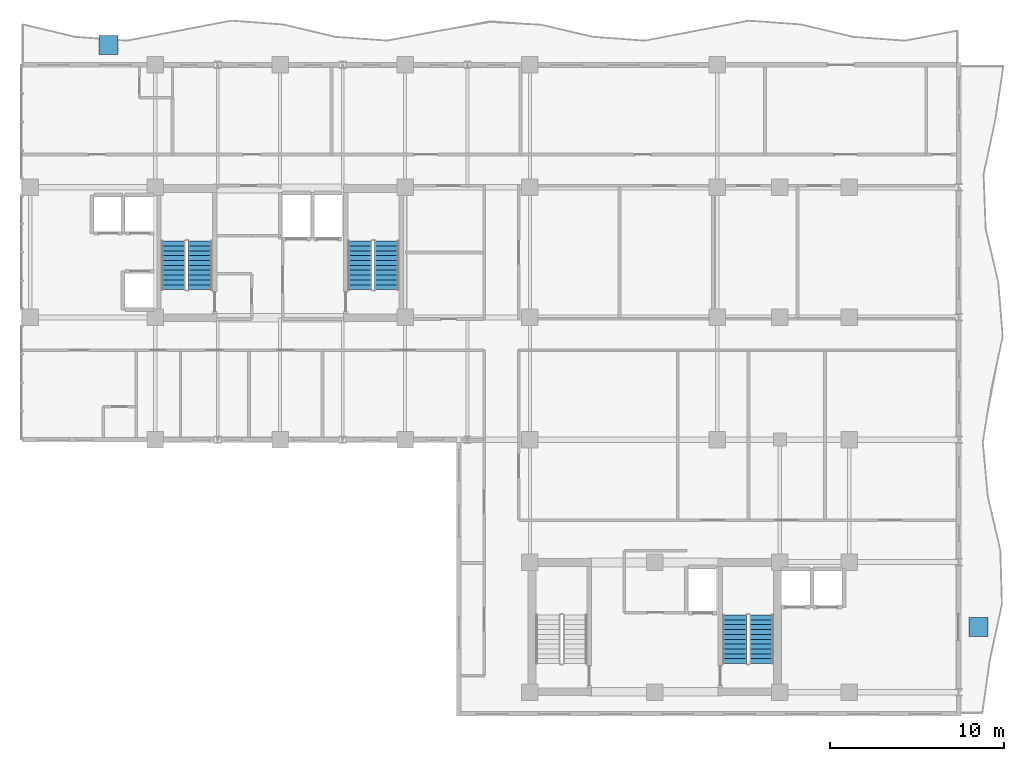
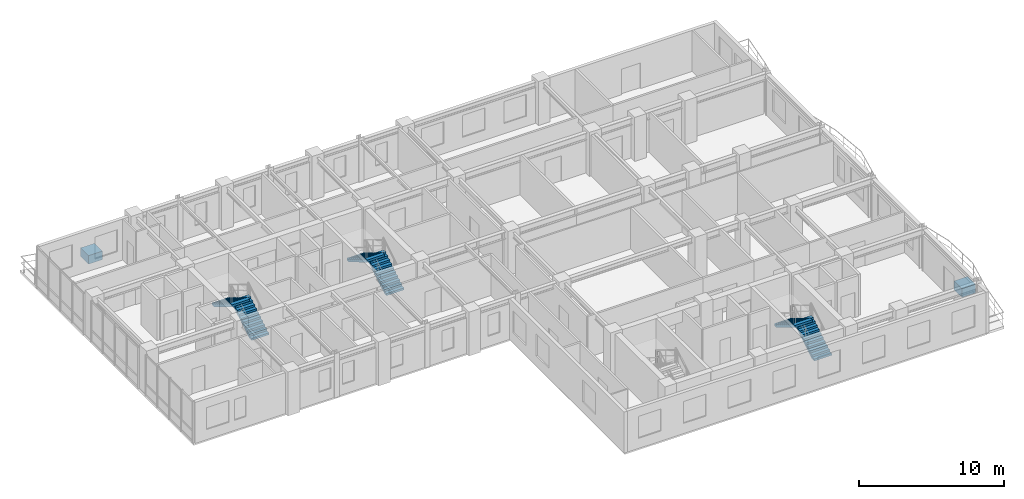
# One storey, part 17 of 20: 6 stair flights, 2 discrete accessories, 3 elements without a shape of their own.
"""IFC4 building model written with IfcOpenShell, lengths in metres."""

from ifc_helpers import new_model, si_unit, direction, frame, origin, origin_2d, place, context, subcontext, project, spatial, polyline, rectangle, outline, extrude, source, transform, mapped, material, type_object, element, aggregate, save


model = new_model("IFC4")

# Units and contexts
model_context = context("Model", 3, precision=1e-05, world=origin(), true_north=direction((0.0, 1.0)))
body_context = subcontext(model_context, "Body", "Model", "MODEL_VIEW")
ifc_project = project(units=[si_unit("LENGTHUNIT", "METRE"), si_unit("AREAUNIT", "SQUARE_METRE"), si_unit("VOLUMEUNIT", "CUBIC_METRE"), si_unit("PLANEANGLEUNIT", "RADIAN"), si_unit("MASSUNIT", "GRAM", prefix="KILO")], contexts=[model_context])

# Site, building, storey
site_placement = place(None, origin())
site = spatial("IfcSite", under=ifc_project, at=site_placement, CompositionType="ELEMENT")
building_placement = place(site_placement, origin())
building = spatial("IfcBuilding", under=site, at=building_placement, Name="Kaliganga Portal Commons", CompositionType="ELEMENT")
storey_placement = place(building_placement, frame((0.0, 0.0, 201.800048828125)))
storey = spatial("IfcBuildingStorey", under=building, at=storey_placement, Name="L51", CompositionType="ELEMENT", Elevation=201.800048828125)

# Stair, stair flights
ifc_material_1 = material(Name="Concrete C40/50", Category="concrete")
stair_type = type_object("IfcStairType", Name="ST-CORE-DOGLEG", PredefinedType="HALF_TURN_STAIR", material=ifc_material_1)
stair_1_placement = place(storey_placement, origin())
stair_1 = element("IfcStair", 1, at=stair_1_placement, inside=storey, type_object=stair_type, Name="L51 Protected Exit Stair ST-A1", PredefinedType="HALF_TURN_STAIR")
stair_flight_type = type_object("IfcStairFlightType", Name="STF-RC-1400", PredefinedType="STRAIGHT", material=ifc_material_1)
stair_flight_1_placement = place(storey_placement, frame((17.0, 30.25, 0.0), z_axis=(0.0, 0.0, 1.0), x_axis=(0.0, 1.0, 0.0)))
stair_flight_1 = element("IfcStairFlight", 2, at=stair_flight_1_placement, type_object=stair_flight_type, Name="ST-A1 flight 1", NumberOfRisers=11, NumberOfTreads=10, PredefinedType="STRAIGHT", RiserHeight=0.168181818, TreadLength=0.28, context=body_context, shape_type="SweptSolid", body=[
    extrude(outline(polyline([(0.0, 0.0), (0.0, 0.168212890625), (0.280029296875, 0.168212890625), (0.280029296875, 0.33642578125), (0.56005859375, 0.33642578125), (0.56005859375, 0.504638671875), (0.840087890625, 0.504638671875), (0.840087890625, 0.672607421875), (1.1201171875, 0.672607421875), (1.1201171875, 0.8408203125), (1.39990234375, 0.8408203125), (1.39990234375, 1.009033203125), (1.679931640625, 1.009033203125), (1.679931640625, 1.17724609375), (1.9599609375, 1.17724609375), (1.9599609375, 1.345458984375), (2.239990234375, 1.345458984375), (2.239990234375, 1.513671875), (2.52001953125, 1.513671875), (2.52001953125, 1.681884765625), (2.800048828125, 1.681884765625), (2.800048828125, 1.85009765625), (2.800048828125, 1.5068359375), (0.291015625, 0.0), (0.0, 0.0)])), frame((0.0, 0.699951171875, 0.0), z_axis=(0.0, -1.0, 0.0), x_axis=(1.0, 0.0, 0.0)), (0.0, 0.0, 1.0), 1.39990234375),
])
stair_flight_2_placement = place(storey_placement, frame((15.449951171875, 33.050048828125, 1.849853515625), z_axis=(0.0, 0.0, 1.0), x_axis=(0.0, -1.0, 0.0)))
stair_flight_2 = element("IfcStairFlight", 3, at=stair_flight_2_placement, type_object=stair_flight_type, Name="ST-A1 flight 2", NumberOfRisers=11, NumberOfTreads=10, PredefinedType="STRAIGHT", RiserHeight=0.168181818, TreadLength=0.28, context=body_context, shape_type="SweptSolid", body=[
    extrude(outline(polyline([(0.0, 0.0), (0.0, 0.168212890625), (0.280029296875, 0.168212890625), (0.280029296875, 0.33642578125), (0.56005859375, 0.33642578125), (0.56005859375, 0.504638671875), (0.840087890625, 0.504638671875), (0.840087890625, 0.672607421875), (1.1201171875, 0.672607421875), (1.1201171875, 0.8408203125), (1.39990234375, 0.8408203125), (1.39990234375, 1.009033203125), (1.679931640625, 1.009033203125), (1.679931640625, 1.17724609375), (1.9599609375, 1.17724609375), (1.9599609375, 1.345458984375), (2.239990234375, 1.345458984375), (2.239990234375, 1.513671875), (2.52001953125, 1.513671875), (2.52001953125, 1.681884765625), (2.800048828125, 1.681884765625), (2.800048828125, 1.85009765625), (2.800048828125, 1.5068359375), (0.291015625, 0.0), (0.0, 0.0)])), frame((0.0, 0.699951171875, 0.0), z_axis=(0.0, -1.0, 0.0), x_axis=(1.0, 0.0, 0.0)), (0.0, 0.0, 1.0), 1.39990234375),
])
aggregate(stair_1, [stair_flight_1, stair_flight_2])

stair_2_placement = place(storey_placement, origin())
stair_2 = element("IfcStair", 4, at=stair_2_placement, inside=storey, type_object=stair_type, Name="L51 Protected Exit Stair ST-A2", PredefinedType="HALF_TURN_STAIR")
stair_flight_3_placement = place(storey_placement, frame((27.75, 30.25, 0.0), z_axis=(0.0, 0.0, 1.0), x_axis=(0.0, 1.0, 0.0)))
stair_flight_3 = element("IfcStairFlight", 5, at=stair_flight_3_placement, type_object=stair_flight_type, Name="ST-A2 flight 1", NumberOfRisers=11, NumberOfTreads=10, PredefinedType="STRAIGHT", RiserHeight=0.168181818, TreadLength=0.28, context=body_context, shape_type="SweptSolid", body=[
    extrude(outline(polyline([(0.0, 0.0), (0.0, 0.168212890625), (0.280029296875, 0.168212890625), (0.280029296875, 0.33642578125), (0.56005859375, 0.33642578125), (0.56005859375, 0.504638671875), (0.840087890625, 0.504638671875), (0.840087890625, 0.672607421875), (1.1201171875, 0.672607421875), (1.1201171875, 0.8408203125), (1.39990234375, 0.8408203125), (1.39990234375, 1.009033203125), (1.679931640625, 1.009033203125), (1.679931640625, 1.17724609375), (1.9599609375, 1.17724609375), (1.9599609375, 1.345458984375), (2.239990234375, 1.345458984375), (2.239990234375, 1.513671875), (2.52001953125, 1.513671875), (2.52001953125, 1.681884765625), (2.800048828125, 1.681884765625), (2.800048828125, 1.85009765625), (2.800048828125, 1.5068359375), (0.291015625, 0.0), (0.0, 0.0)])), frame((0.0, 0.699951171875, 0.0), z_axis=(0.0, -1.0, 0.0), x_axis=(1.0, 0.0, 0.0)), (0.0, 0.0, 1.0), 1.39990234375),
])
stair_flight_4_placement = place(storey_placement, frame((26.199951171875, 33.050048828125, 1.849853515625), z_axis=(0.0, 0.0, 1.0), x_axis=(0.0, -1.0, 0.0)))
stair_flight_4 = element("IfcStairFlight", 6, at=stair_flight_4_placement, type_object=stair_flight_type, Name="ST-A2 flight 2", NumberOfRisers=11, NumberOfTreads=10, PredefinedType="STRAIGHT", RiserHeight=0.168181818, TreadLength=0.28, context=body_context, shape_type="SweptSolid", body=[
    extrude(outline(polyline([(0.0, 0.0), (0.0, 0.168212890625), (0.280029296875, 0.168212890625), (0.280029296875, 0.33642578125), (0.56005859375, 0.33642578125), (0.56005859375, 0.504638671875), (0.840087890625, 0.504638671875), (0.840087890625, 0.672607421875), (1.1201171875, 0.672607421875), (1.1201171875, 0.8408203125), (1.39990234375, 0.8408203125), (1.39990234375, 1.009033203125), (1.679931640625, 1.009033203125), (1.679931640625, 1.17724609375), (1.9599609375, 1.17724609375), (1.9599609375, 1.345458984375), (2.239990234375, 1.345458984375), (2.239990234375, 1.513671875), (2.52001953125, 1.513671875), (2.52001953125, 1.681884765625), (2.800048828125, 1.681884765625), (2.800048828125, 1.85009765625), (2.800048828125, 1.5068359375), (0.291015625, 0.0), (0.0, 0.0)])), frame((0.0, 0.699951171875, 0.0), z_axis=(0.0, -1.0, 0.0), x_axis=(1.0, 0.0, 0.0)), (0.0, 0.0, 1.0), 1.39990234375),
])
aggregate(stair_2, [stair_flight_3, stair_flight_4])

stair_3_placement = place(storey_placement, origin())
stair_3 = element("IfcStair", 7, at=stair_3_placement, inside=storey, type_object=stair_type, Name="L51 Protected Exit Stair ST-B2", PredefinedType="HALF_TURN_STAIR")
stair_flight_5_placement = place(storey_placement, frame((49.35009765625, 8.699951171875, 0.0), z_axis=(0.0, 0.0, 1.0), x_axis=(0.0, 1.0, 0.0)))
stair_flight_5 = element("IfcStairFlight", 8, at=stair_flight_5_placement, type_object=stair_flight_type, Name="ST-B2 flight 1", NumberOfRisers=11, NumberOfTreads=10, PredefinedType="STRAIGHT", RiserHeight=0.168181818, TreadLength=0.28, context=body_context, shape_type="SweptSolid", body=[
    extrude(outline(polyline([(0.0, 0.0), (0.0, 0.168212890625), (0.280029296875, 0.168212890625), (0.280029296875, 0.33642578125), (0.56005859375, 0.33642578125), (0.56005859375, 0.504638671875), (0.840087890625, 0.504638671875), (0.840087890625, 0.672607421875), (1.1201171875, 0.672607421875), (1.1201171875, 0.8408203125), (1.39990234375, 0.8408203125), (1.39990234375, 1.009033203125), (1.679931640625, 1.009033203125), (1.679931640625, 1.17724609375), (1.9599609375, 1.17724609375), (1.9599609375, 1.345458984375), (2.239990234375, 1.345458984375), (2.239990234375, 1.513671875), (2.52001953125, 1.513671875), (2.52001953125, 1.681884765625), (2.800048828125, 1.681884765625), (2.800048828125, 1.85009765625), (2.800048828125, 1.5068359375), (0.291015625, 0.0), (0.0, 0.0)])), frame((0.0, 0.699951171875, 0.0), z_axis=(0.0, -1.0, 0.0), x_axis=(1.0, 0.0, 0.0)), (0.0, 0.0, 1.0), 1.39990234375),
])
stair_flight_6_placement = place(storey_placement, frame((47.800048828125, 11.5, 1.849853515625), z_axis=(0.0, 0.0, 1.0), x_axis=(0.0, -1.0, 0.0)))
stair_flight_6 = element("IfcStairFlight", 9, at=stair_flight_6_placement, type_object=stair_flight_type, Name="ST-B2 flight 2", NumberOfRisers=11, NumberOfTreads=10, PredefinedType="STRAIGHT", RiserHeight=0.168181818, TreadLength=0.28, context=body_context, shape_type="SweptSolid", body=[
    extrude(outline(polyline([(0.0, 0.0), (0.0, 0.168212890625), (0.280029296875, 0.168212890625), (0.280029296875, 0.33642578125), (0.56005859375, 0.33642578125), (0.56005859375, 0.504638671875), (0.840087890625, 0.504638671875), (0.840087890625, 0.672607421875), (1.1201171875, 0.672607421875), (1.1201171875, 0.8408203125), (1.39990234375, 0.8408203125), (1.39990234375, 1.009033203125), (1.679931640625, 1.009033203125), (1.679931640625, 1.17724609375), (1.9599609375, 1.17724609375), (1.9599609375, 1.345458984375), (2.239990234375, 1.345458984375), (2.239990234375, 1.513671875), (2.52001953125, 1.513671875), (2.52001953125, 1.681884765625), (2.800048828125, 1.681884765625), (2.800048828125, 1.85009765625), (2.800048828125, 1.5068359375), (0.291015625, 0.0), (0.0, 0.0)])), frame((0.0, 0.699951171875, 0.0), z_axis=(0.0, -1.0, 0.0), x_axis=(1.0, 0.0, 0.0)), (0.0, 0.0, 1.0), 1.39990234375),
])
aggregate(stair_3, [stair_flight_5, stair_flight_6])

# Discrete accessories
ifc_material_2 = material(Name="Precast concrete C40/50", Category="concrete")
discrete_accessory_type = type_object("IfcDiscreteAccessoryType", Name="DAC-PLANTER-RC", PredefinedType="USERDEFINED", material=ifc_material_2)
shared_shape = source(origin(), body_context, "Body", "SweptSolid", [
    extrude(rectangle(XDim=1.10009765625, YDim=1.10009765625, at=origin_2d()), origin(), (0.0, 0.0, 1.0), 0.719970703125),
])
for number, where, z_axis, x_axis, name in (
    (10, (11.699951171875, 44.35009765625, 0.0), (0.0, 0.0, 1.0), (1.0, 0.0, 0.0), "Structural Tree Planter L51 balc_north"),
    (11, (61.85009765625, 10.800048828125, 0.0), (0.0, 0.0, 1.0), (1.0, 0.0, 0.0), "Structural Tree Planter L51 balc_east"),
):
    element("IfcDiscreteAccessory", number, at=place(storey_placement, frame(where, z_axis=z_axis, x_axis=x_axis)), inside=storey, type_object=discrete_accessory_type, Name=name, ObjectType="PLANTER", PredefinedType="USERDEFINED", context=body_context, shape_type="MappedRepresentation", body=[
        mapped(shared_shape, transform((0.0, 0.0, 0.0), x_axis=(1.0, 0.0, 0.0), y_axis=(0.0, 1.0, 0.0), z_axis=(0.0, 0.0, 1.0), scale=1.0)),
    ])

save(model, "model.ifc")
